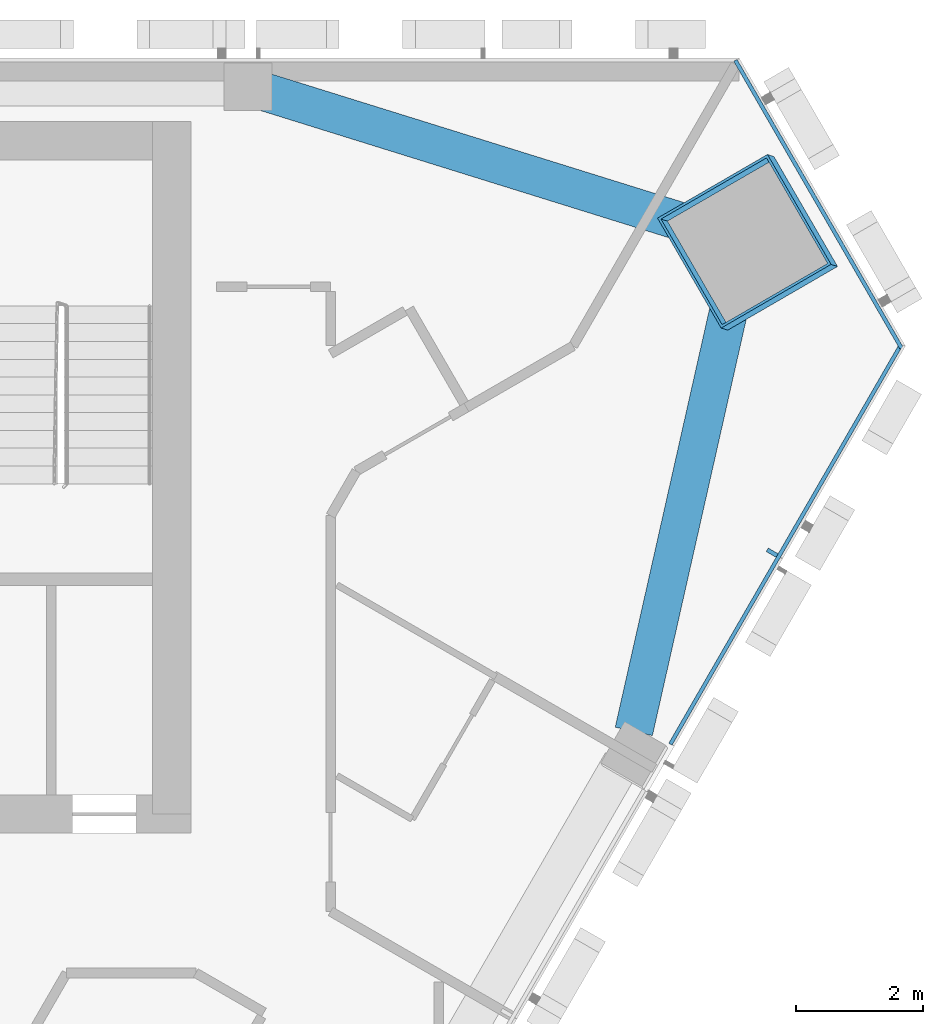
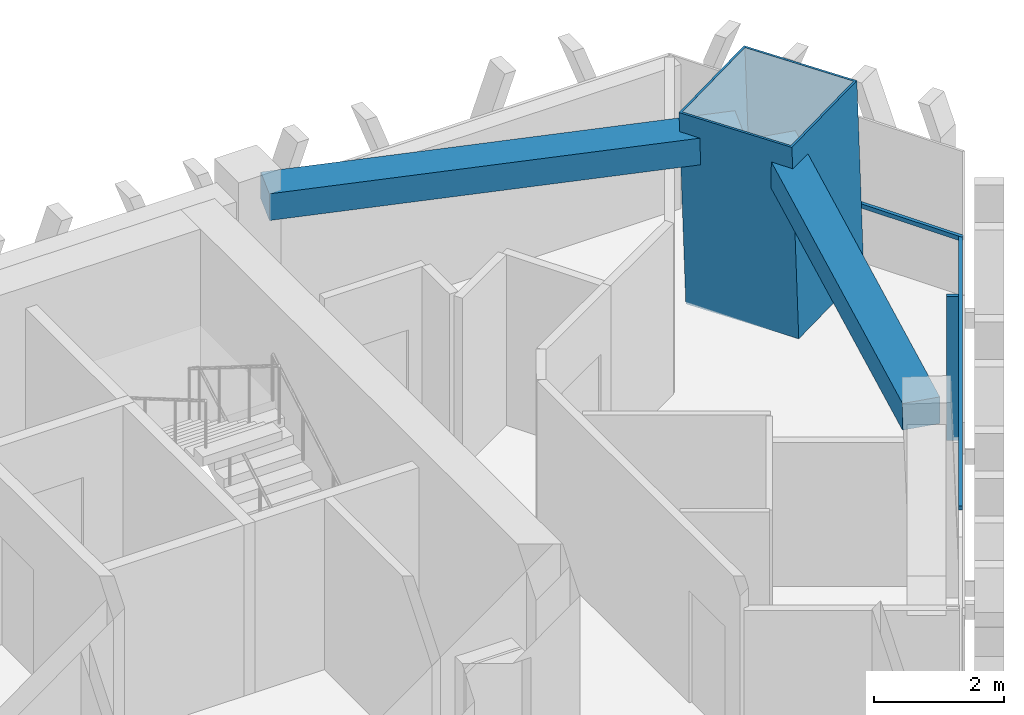
# One storey, part 6 of 15: 4 members, 2 beams, 2 elements without a shape of their own.
"""IFC4 building model written with IfcOpenShell, lengths in metres."""

from ifc_helpers import new_model, si_unit, direction, frame, origin, origin_2d, place, context, subcontext, project, spatial, rectangle, hollow_rectangle, extrude, material, layer, layer_set, material_profile, profile_set, type_object, element, aggregate, save


model = new_model("IFC4")

# Units and contexts
model_context = context("Model", 3, precision=1e-05, world=origin(), true_north=direction((0.0, 1.0)))
body_context = subcontext(model_context, "Body", "Model", "MODEL_VIEW")
ifc_project = project(units=[si_unit("LENGTHUNIT", "METRE"), si_unit("AREAUNIT", "SQUARE_METRE"), si_unit("VOLUMEUNIT", "CUBIC_METRE"), si_unit("PLANEANGLEUNIT", "RADIAN"), si_unit("MASSUNIT", "GRAM", prefix="KILO")], contexts=[model_context])

# Site, building, storey
site_placement = place(None, origin())
site = spatial("IfcSite", under=ifc_project, at=site_placement, CompositionType="ELEMENT")
building_placement = place(site_placement, origin())
building = spatial("IfcBuilding", under=site, at=building_placement, Name="Altiplano Prism Tower", CompositionType="ELEMENT")
storey_placement = place(building_placement, frame((0.0, 0.0, 250.0)))
storey = spatial("IfcBuildingStorey", under=building, at=storey_placement, Name="L64", CompositionType="ELEMENT", Elevation=250.0)

# Curtain wall, members
ifc_material_1 = material(Name="Aluminium and glass", Category="aluminium")
ifc_layer = layer(ifc_material_1, 0.280029296875)
ifc_layer_set = layer_set([ifc_layer], Name="Aluminium and glass")
curtain_wall_type = type_object("IfcCurtainWallType", Name="CW1 typical co-living unitised curtain wall", PredefinedType="NOTDEFINED", material=ifc_layer_set)
curtain_wall_1_placement = place(storey_placement, origin())
curtain_wall_1 = element("IfcCurtainWall", 1, at=curtain_wall_1_placement, inside=storey, type_object=curtain_wall_type, Name="CW1 curtain wall south-east face L64", PredefinedType="NOTDEFINED")
ifc_material_2 = material(Name="Aluminium", Category="aluminium")
ifc_material_profile_1 = material_profile(ifc_material_2, rectangle(XDim=0.179931640625, YDim=0.06494140625, at=origin_2d()), Name="CW1 mullion 65 x 180")
ifc_profile_set_1 = profile_set([ifc_material_profile_1], Name="Aluminium")
member_type_1 = type_object("IfcMemberType", Name="CW1 mullion 65 x 180", PredefinedType="MULLION", material=ifc_profile_set_1)
member_1_placement = place(storey_placement, frame((106.749755859375, 97.216064453125, 0.0), z_axis=(0.0, 0.0, 1.0), x_axis=(-0.866025403636, 0.500000000257, 0.0)))
member_1 = element("IfcMember", 2, at=member_1_placement, type_object=member_type_1, Name="CW1 mullion", PredefinedType="MULLION", context=body_context, shape_type="SweptSolid", body=[
    extrude(rectangle(XDim=0.179931640625, YDim=0.06494140625, at=origin_2d()), origin(), (0.0, 0.0, 1.0), 2.699951171875),
])
ifc_material_profile_2 = material_profile(ifc_material_2, rectangle(XDim=0.06005859375, YDim=0.080078125, at=origin_2d()), Name="CW1 transom 80 x 60")
ifc_profile_set_2 = profile_set([ifc_material_profile_2], Name="Aluminium")
member_type_2 = type_object("IfcMemberType", Name="CW1 transom 80 x 60", PredefinedType="USERDEFINED", material=ifc_profile_set_2)
member_2_placement = place(storey_placement, frame((105.148193359375, 94.2021484375, 1.10009765625), z_axis=(0.50001094225, 0.866019086181, 0.0), x_axis=(-0.866019086181, 0.50001094225, 0.0)))
member_2 = element("IfcMember", 3, at=member_2_placement, type_object=member_type_2, Name="CW1 transom", ObjectType="TRANSOM", PredefinedType="USERDEFINED", context=body_context, shape_type="SweptSolid", body=[
    extrude(rectangle(XDim=0.06005859375, YDim=0.080078125, at=origin_2d()), origin(), (0.0, 0.0, 1.0), 7.276611328125),
])
aggregate(curtain_wall_1, [member_1, member_2])

# Curtain wall, member
curtain_wall_2_placement = place(storey_placement, origin())
curtain_wall_2 = element("IfcCurtainWall", 4, at=curtain_wall_2_placement, inside=storey, type_object=curtain_wall_type, Name="CW1 curtain wall north-east chamfer L64", PredefinedType="NOTDEFINED")
member_3_placement = place(storey_placement, frame((108.78662109375, 100.433837890625, 1.10009765625), z_axis=(-0.500013263306, 0.866017746076, 0.0), x_axis=(-0.866017746076, -0.500013263306, 0.0)))
member_3 = element("IfcMember", 5, at=member_3_placement, type_object=member_type_2, Name="CW1 transom", ObjectType="TRANSOM", PredefinedType="USERDEFINED", context=body_context, shape_type="SweptSolid", body=[
    extrude(rectangle(XDim=0.06005859375, YDim=0.080078125, at=origin_2d()), origin(), (0.0, 0.0, 1.0), 5.232177734375),
])
aggregate(curtain_wall_2, [member_3])

# Beams
ifc_material_3 = material(Name="Concrete C60/75", Category="concrete")
ifc_material_profile_3 = material_profile(ifc_material_3, rectangle(XDim=0.60009765625, YDim=0.5, at=origin_2d()), Name="Edge beam 600x500")
ifc_profile_set_3 = profile_set([ifc_material_profile_3], Name="Concrete C60/75")
beam_type = type_object("IfcBeamType", Name="Edge beam 600x500", PredefinedType="SPANDREL", material=ifc_profile_set_3)
for number, where, z_axis, x_axis, name in (
    (6, (104.572021484375, 94.403076171875, 2.949951171875), (0.219910209386, 0.975520117582, 0.0), (-0.975520117582, 0.219910209386, 0.0), "Edge beam P24-M2 L65"),
    (7, (105.88134765625, 102.25146484375, 2.949951171875), (-0.954774822057, 0.297329849101, 0.0), (-0.297329849101, -0.954774822057, 0.0), "Edge beam M2-P01 L65"),
):
    element("IfcBeam", number, at=place(storey_placement, frame(where, z_axis=z_axis, x_axis=x_axis)), inside=storey, type_object=beam_type, Name=name, PredefinedType="SPANDREL", context=body_context, shape_type="SweptSolid", body=[
        extrude(rectangle(XDim=0.60009765625, YDim=0.5, at=origin_2d()), origin(), (0.0, 0.0, 1.0), 7.458251953125),
    ])

# Member
ifc_material_4 = material(Name="Steel S460", Category="steel")
ifc_material_profile_4 = material_profile(ifc_material_4, hollow_rectangle(XDim=2.0, YDim=2.0, WallThickness=0.0400390625, at=origin_2d()), Name="Mega column tube 2000")
ifc_profile_set_4 = profile_set([ifc_material_profile_4], Name="Steel S460")
member_type_3 = type_object("IfcMemberType", Name="Mega column tube 2000", PredefinedType="POST", material=ifc_profile_set_4)
member_4_placement = place(storey_placement, frame((106.413330078125, 102.08447265625, 0.0), z_axis=(-0.028401814599, 0.009218727412, 0.999554076572), x_axis=(0.500762619309, -0.865299682308, 0.022209432679)))
element("IfcMember", 8, at=member_4_placement, inside=storey, type_object=member_type_3, Name="Mega column tube M2 L64", PredefinedType="POST", context=body_context, shape_type="SweptSolid", body=[
    extrude(hollow_rectangle(XDim=2.0, YDim=2.0, WallThickness=0.0400390625, at=origin_2d()), origin(), (0.0, 0.0, 1.0), 3.601806640625),
])

save(model, "model.ifc")
